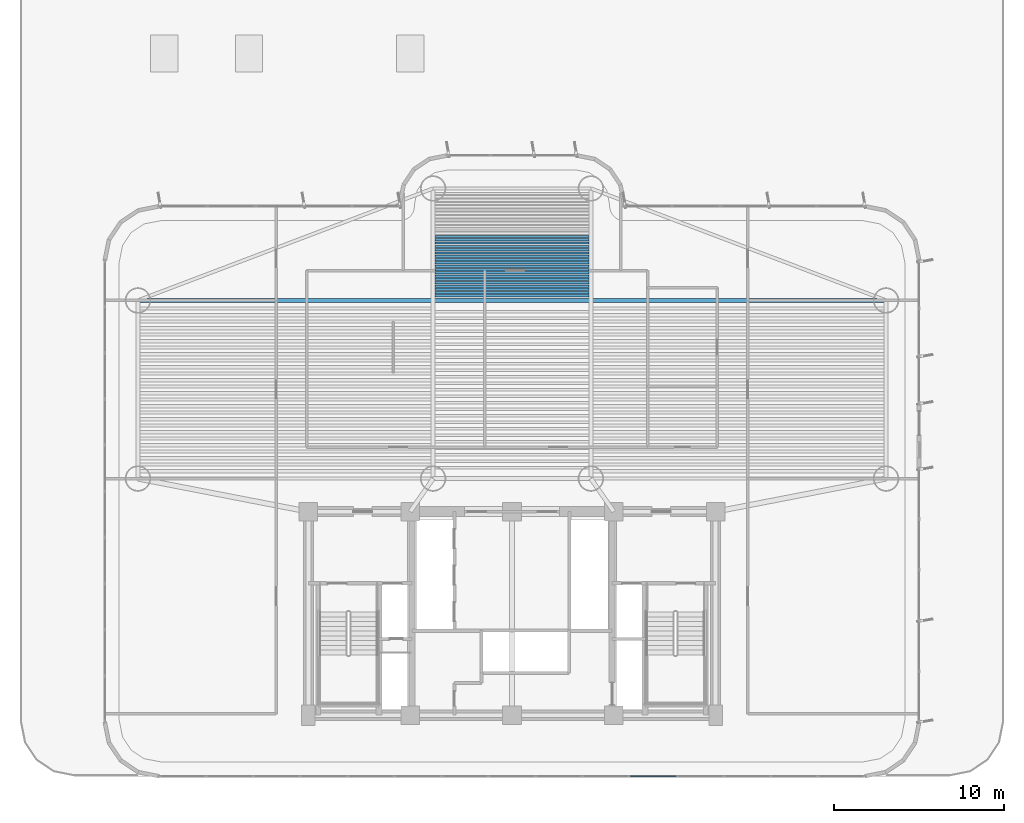
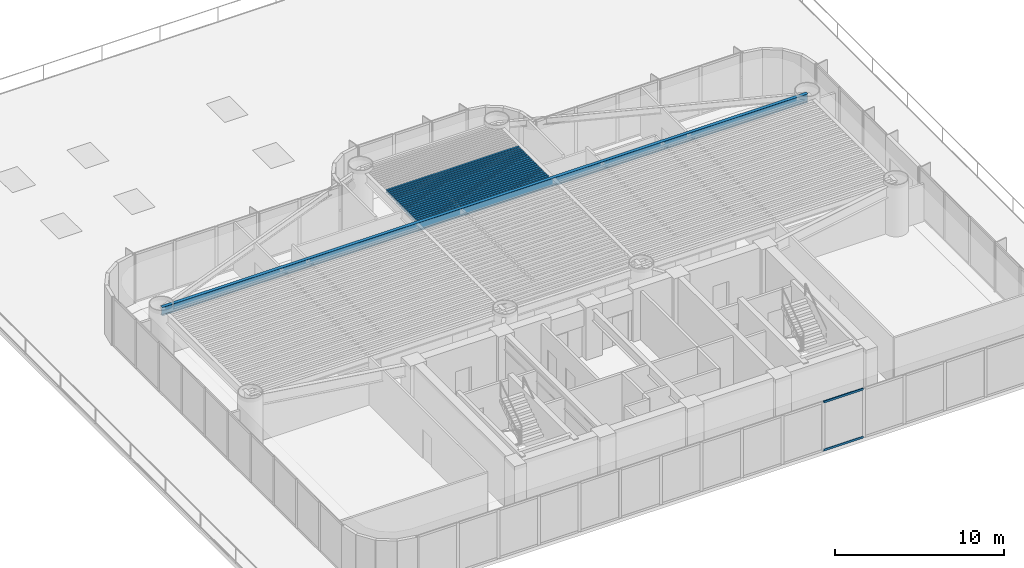
# One storey, part 4 of 17: 20 beams, 2 members, 1 element without a shape of its own.
"""IFC4 building model written with IfcOpenShell, lengths in metres."""

from ifc_helpers import new_model, si_unit, direction, frame, origin, origin_2d, place, context, subcontext, project, spatial, rectangle, i_section, extrude, source, transform, mapped, material, layer, layer_set, material_profile, profile_set, type_object, element, aggregate, save


model = new_model("IFC4")

# Units and contexts
model_context = context("Model", 3, precision=1e-05, world=origin(), true_north=direction((0.0, 1.0)))
body_context = subcontext(model_context, "Body", "Model", "MODEL_VIEW")
ifc_project = project(units=[si_unit("LENGTHUNIT", "METRE"), si_unit("AREAUNIT", "SQUARE_METRE"), si_unit("VOLUMEUNIT", "CUBIC_METRE"), si_unit("PLANEANGLEUNIT", "RADIAN"), si_unit("MASSUNIT", "GRAM", prefix="KILO")], contexts=[model_context])

# Site, building, storey
site_placement = place(None, origin())
site = spatial("IfcSite", under=ifc_project, at=site_placement, CompositionType="ELEMENT")
building_placement = place(site_placement, origin())
building = spatial("IfcBuilding", under=site, at=building_placement, Name="Brelvock Crest Care Tower", CompositionType="ELEMENT")
storey_placement = place(building_placement, frame((0.0, 0.0, 27.0)))
storey = spatial("IfcBuildingStorey", under=building, at=storey_placement, Name="L06", CompositionType="ELEMENT", Elevation=27.0)

# Beams
ifc_material_1 = material(Name="Steel Grade 350", Category="steel")
ifc_material_profile_1 = material_profile(ifc_material_1, i_section(OverallWidth=0.22900390625, OverallDepth=0.612060546875, WebThickness=0.011962890625, FlangeThickness=0.01953125, FilletRadius=0.013916015625, at=origin_2d()), Name="610UB125")
ifc_profile_set_1 = profile_set([ifc_material_profile_1], Name="Steel Grade 350")
beam_type_1 = type_object("IfcBeamType", Name="BM-G1", PredefinedType="BEAM", material=ifc_profile_set_1)
shared_shape_1 = source(origin(), body_context, "Body", "SweptSolid", [
    extrude(i_section(OverallWidth=0.22900390625, OverallDepth=0.612060546875, WebThickness=0.011962890625, FlangeThickness=0.01953125, FilletRadius=0.013916015625, at=origin_2d()), origin(), (0.0, 0.0, 1.0), 44.10009765625),
])
beam_placement = place(storey_placement, frame((13.949951171875, 30.449951171875, 3.22412109375), z_axis=(1.0, 0.0, 0.0), x_axis=(0.0, 1.0, 0.0)))
element("IfcBeam", 1, at=beam_placement, inside=storey, type_object=beam_type_1, Name="BM-TWR-L06-11", PredefinedType="BEAM", context=body_context, shape_type="MappedRepresentation", body=[
    mapped(shared_shape_1, transform((0.0, 0.0, 0.0), x_axis=(1.0, 0.0, 0.0), y_axis=(0.0, 1.0, 0.0), z_axis=(0.0, 0.0, 1.0), scale=1.0)),
])
ifc_material_profile_2 = material_profile(ifc_material_1, i_section(OverallWidth=0.14599609375, OverallDepth=0.256103515625, WebThickness=0.00634765625, FlangeThickness=0.010986328125, FilletRadius=0.0087890625, at=origin_2d()), Name="250UB37.3")
ifc_profile_set_2 = profile_set([ifc_material_profile_2], Name="Steel Grade 350")
beam_type_2 = type_object("IfcBeamType", Name="BM-J3", PredefinedType="JOIST", material=ifc_profile_set_2)
shared_shape_2 = source(origin(), body_context, "Body", "SweptSolid", [
    extrude(i_section(OverallWidth=0.14599609375, OverallDepth=0.256103515625, WebThickness=0.00634765625, FlangeThickness=0.010986328125, FilletRadius=0.0087890625, at=origin_2d()), origin(), (0.0, 0.0, 1.0), 9.06982421875),
])
for number, where, z_axis, x_axis, name in (
    (2, (31.465087890625, 30.714111328125, 3.402099609375), (1.0, 0.0, 0.0), (0.0, 1.0, 0.0), "BM-JN-L06-1"),
    (3, (31.465087890625, 30.90869140625, 3.402099609375), (1.0, 0.0, 0.0), (0.0, 1.0, 0.0), "BM-JN-L06-2"),
    (4, (31.465087890625, 31.103515625, 3.402099609375), (1.0, 0.0, 0.0), (0.0, 1.0, 0.0), "BM-JN-L06-3"),
    (5, (31.465087890625, 31.298095703125, 3.402099609375), (1.0, 0.0, 0.0), (0.0, 1.0, 0.0), "BM-JN-L06-4"),
    (6, (31.465087890625, 31.492919921875, 3.402099609375), (1.0, 0.0, 0.0), (0.0, 1.0, 0.0), "BM-JN-L06-5"),
    (7, (31.465087890625, 31.6875, 3.402099609375), (1.0, 0.0, 0.0), (0.0, 1.0, 0.0), "BM-JN-L06-6"),
    (8, (31.465087890625, 31.882080078125, 3.402099609375), (1.0, 0.0, 0.0), (0.0, 1.0, 0.0), "BM-JN-L06-7"),
    (9, (31.465087890625, 32.076904296875, 3.402099609375), (1.0, 0.0, 0.0), (0.0, 1.0, 0.0), "BM-JN-L06-8"),
    (10, (31.465087890625, 32.271484375, 3.402099609375), (1.0, 0.0, 0.0), (0.0, 1.0, 0.0), "BM-JN-L06-9"),
    (11, (31.465087890625, 32.46630859375, 3.402099609375), (1.0, 0.0, 0.0), (0.0, 1.0, 0.0), "BM-JN-L06-10"),
    (12, (31.465087890625, 32.660888671875, 3.402099609375), (1.0, 0.0, 0.0), (0.0, 1.0, 0.0), "BM-JN-L06-11"),
    (13, (31.465087890625, 32.855712890625, 3.402099609375), (1.0, 0.0, 0.0), (0.0, 1.0, 0.0), "BM-JN-L06-12"),
    (14, (31.465087890625, 33.05029296875, 3.402099609375), (1.0, 0.0, 0.0), (0.0, 1.0, 0.0), "BM-JN-L06-13"),
):
    element("IfcBeam", number, at=place(storey_placement, frame(where, z_axis=z_axis, x_axis=x_axis)), inside=storey, type_object=beam_type_2, Name=name, PredefinedType="JOIST", context=body_context, shape_type="MappedRepresentation", body=[
        mapped(shared_shape_2, transform((0.0, 0.0, 0.0), x_axis=(1.0, 0.0, 0.0), y_axis=(0.0, 1.0, 0.0), z_axis=(0.0, 0.0, 1.0), scale=1.0)),
    ])
ifc_material_profile_3 = material_profile(ifc_material_1, i_section(OverallWidth=0.134033203125, OverallDepth=0.20703125, WebThickness=0.00634765625, FlangeThickness=0.009521484375, FilletRadius=0.0087890625, at=origin_2d()), Name="200UB29.8")
ifc_profile_set_3 = profile_set([ifc_material_profile_3], Name="Steel Grade 350")
beam_type_3 = type_object("IfcBeamType", Name="BM-J4", PredefinedType="JOIST", material=ifc_profile_set_3)
shared_shape_3 = source(origin(), body_context, "Body", "SweptSolid", [
    extrude(i_section(OverallWidth=0.134033203125, OverallDepth=0.20703125, WebThickness=0.00634765625, FlangeThickness=0.009521484375, FilletRadius=0.0087890625, at=origin_2d()), origin(), (0.0, 0.0, 1.0), 9.06982421875),
])
for number, where, z_axis, x_axis, name in (
    (15, (31.465087890625, 33.2451171875, 3.426513671875), (1.0, 0.0, 0.0), (0.0, 1.0, 0.0), "BM-JN-L06-14"),
    (16, (31.465087890625, 33.439697265625, 3.426513671875), (1.0, 0.0, 0.0), (0.0, 1.0, 0.0), "BM-JN-L06-15"),
    (17, (31.465087890625, 33.634521484375, 3.426513671875), (1.0, 0.0, 0.0), (0.0, 1.0, 0.0), "BM-JN-L06-16"),
    (18, (31.465087890625, 33.8291015625, 3.426513671875), (1.0, 0.0, 0.0), (0.0, 1.0, 0.0), "BM-JN-L06-17"),
    (19, (31.465087890625, 34.02392578125, 3.426513671875), (1.0, 0.0, 0.0), (0.0, 1.0, 0.0), "BM-JN-L06-18"),
    (20, (31.465087890625, 34.218505859375, 3.426513671875), (1.0, 0.0, 0.0), (0.0, 1.0, 0.0), "BM-JN-L06-19"),
):
    element("IfcBeam", number, at=place(storey_placement, frame(where, z_axis=z_axis, x_axis=x_axis)), inside=storey, type_object=beam_type_3, Name=name, PredefinedType="JOIST", context=body_context, shape_type="MappedRepresentation", body=[
        mapped(shared_shape_3, transform((0.0, 0.0, 0.0), x_axis=(1.0, 0.0, 0.0), y_axis=(0.0, 1.0, 0.0), z_axis=(0.0, 0.0, 1.0), scale=1.0)),
    ])

# Curtain wall, members
ifc_material_2 = material(Name="Dark Glass Double Glazed Low-E", Category="glass")
ifc_layer = layer(ifc_material_2, 0.195068359375, Name="CWS-2")
ifc_layer_set = layer_set([ifc_layer], Name="Dark Glass Double Glazed Low-E")
curtain_wall_type = type_object("IfcCurtainWallType", Name="CWS-2", PredefinedType="NOTDEFINED", material=ifc_layer_set)
curtain_wall_placement = place(storey_placement, origin())
curtain_wall = element("IfcCurtainWall", 21, at=curtain_wall_placement, inside=storey, type_object=curtain_wall_type, Name="L06 Curtain Wall E08", PredefinedType="NOTDEFINED")
ifc_material_3 = material(Name="Aluminium 6063-T6", Category="aluminium")
ifc_material_profile_4 = material_profile(ifc_material_3, rectangle(XDim=0.06494140625, YDim=0.14990234375, at=origin_2d()), Name="ALU65x150")
ifc_profile_set_4 = profile_set([ifc_material_profile_4], Name="Aluminium 6063-T6")
member_type = type_object("IfcMemberType", Name="CWT-1", PredefinedType="USERDEFINED", material=ifc_profile_set_4)
shared_shape_4 = source(origin(), body_context, "Body", "SweptSolid", [
    extrude(rectangle(XDim=0.06494140625, YDim=0.14990234375, at=origin_2d()), origin(), (0.0, 0.0, 1.0), 2.708251953125),
])
member_1_placement = place(storey_placement, frame((45.674072265625, 2.39990234375, 0.032470703125), z_axis=(-1.0, 0.0, 0.0), x_axis=(0.0, -1.0, 0.0)))
member_1 = element("IfcMember", 22, at=member_1_placement, type_object=member_type, Name="CW-2 transom 5.1", ObjectType="TRANSOM", PredefinedType="USERDEFINED", context=body_context, shape_type="MappedRepresentation", body=[
    mapped(shared_shape_4, transform((0.0, 0.0, 0.0), x_axis=(1.0, 0.0, 0.0), y_axis=(0.0, 1.0, 0.0), z_axis=(0.0, 0.0, 1.0), scale=1.0)),
])
member_2_placement = place(storey_placement, frame((45.674072265625, 2.39990234375, 3.49755859375), z_axis=(-1.0, 0.0, 0.0), x_axis=(0.0, -1.0, 0.0)))
member_2 = element("IfcMember", 23, at=member_2_placement, type_object=member_type, Name="CW-2 transom 5.2", ObjectType="TRANSOM", PredefinedType="USERDEFINED", context=body_context, shape_type="MappedRepresentation", body=[
    mapped(shared_shape_4, transform((0.0, 0.0, 0.0), x_axis=(1.0, 0.0, 0.0), y_axis=(0.0, 1.0, 0.0), z_axis=(0.0, 0.0, 1.0), scale=1.0)),
])
aggregate(curtain_wall, [member_1, member_2])

save(model, "model.ifc")
